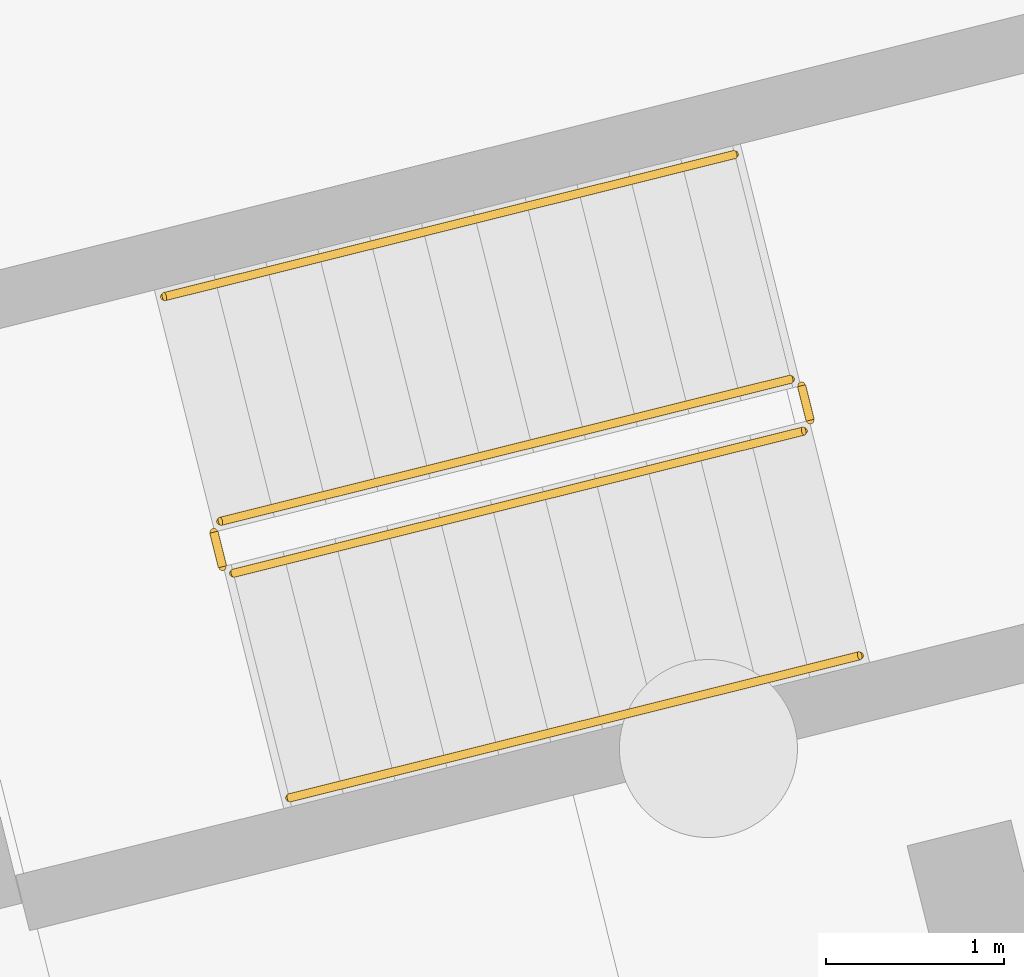
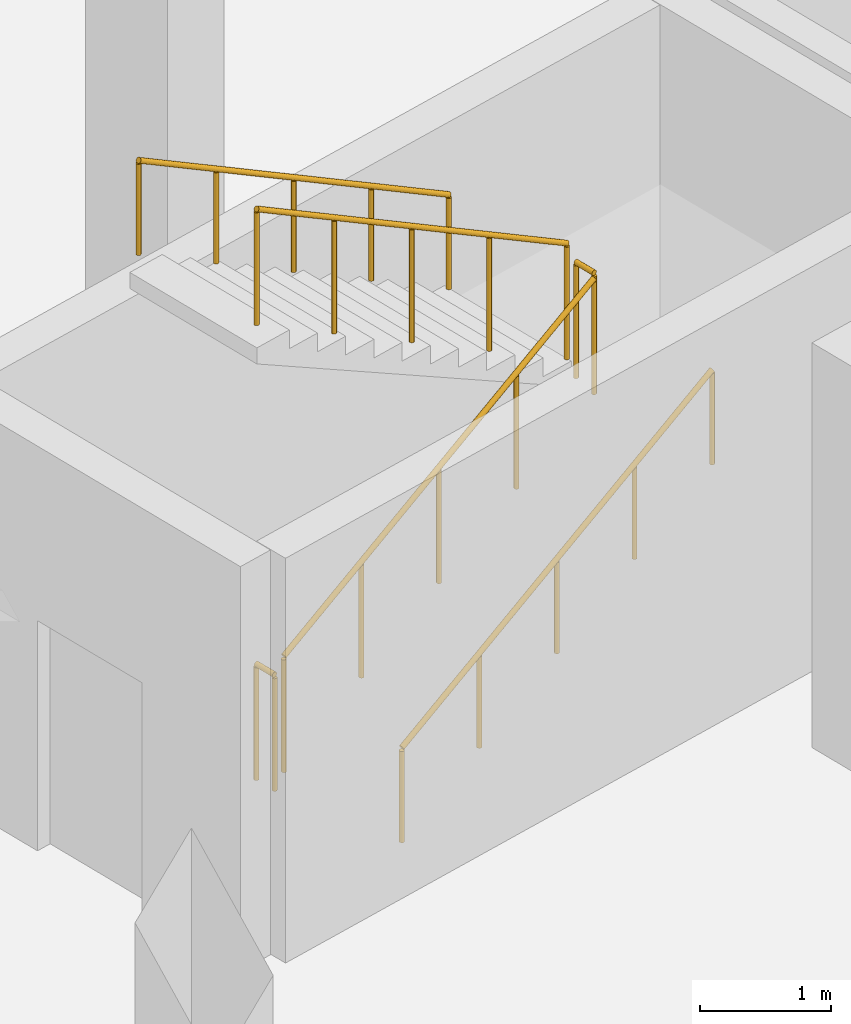
# One storey, part 11 of 17: 6 railings.
"""IFC4 building model written with IfcOpenShell, lengths in metres."""

from ifc_helpers import new_model, si_unit, direction, frame, origin, origin_2d, place, context, subcontext, project, spatial, circle, extrude, material, type_object, element, save


model = new_model("IFC4")

# Units and contexts
model_context = context("Model", 3, precision=1e-05, world=origin(), true_north=direction((0.0, 1.0)))
body_context = subcontext(model_context, "Body", "Model", "MODEL_VIEW")
ifc_project = project(units=[si_unit("LENGTHUNIT", "METRE"), si_unit("AREAUNIT", "SQUARE_METRE"), si_unit("VOLUMEUNIT", "CUBIC_METRE"), si_unit("PLANEANGLEUNIT", "RADIAN"), si_unit("MASSUNIT", "GRAM", prefix="KILO")], contexts=[model_context])

# Site, building, storey
site_placement = place(None, origin())
site = spatial("IfcSite", under=ifc_project, at=site_placement, CompositionType="ELEMENT")
building_placement = place(site_placement, origin())
building = spatial("IfcBuilding", under=site, at=building_placement, Name="Mawjan Specialist Oncology Clinic", CompositionType="ELEMENT")
storey_placement = place(building_placement, frame((0.0, 0.0, -4.199951171875)))
storey = spatial("IfcBuildingStorey", under=building, at=storey_placement, Name="B01", CompositionType="ELEMENT", Elevation=-4.199951171875)

# Railings
ifc_material_1 = material(Name="Powder-coated steel stair guard with vertical infill pickets", Category="steel")
railing_type_1 = type_object("IfcRailingType", Name="GR-110", PredefinedType="GUARDRAIL", material=ifc_material_1)
railing_1_placement = place(storey_placement, frame((124.932861328125, 19.9609375, 0.175048828125)))
element("IfcRailing", 1, at=railing_1_placement, inside=storey, type_object=railing_type_1, Name="B01 ST-05 stair guard 1", PredefinedType="GUARDRAIL", context=body_context, shape_type="SweptSolid", body=[
    extrude(circle(Radius=0.02392578125, at=origin_2d()), frame((0.0, 0.0, 1.076171875), z_axis=(0.838137099766, 0.20897509083, 0.503840861194), x_axis=(-0.24192630068, 0.970294627956, 0.0)), (0.0, 0.0, 1.0), 3.8203125),
    extrude(circle(Radius=0.02099609375, at=origin_2d()), origin(), (0.0, 0.0, 1.0), 1.052001953125),
    extrude(circle(Radius=0.02099609375, at=origin_2d()), frame((0.800537109375, 0.19970703125, 0.481201171875)), (0.0, 0.0, 1.0), 1.052001953125),
    extrude(circle(Radius=0.02099609375, at=origin_2d()), frame((1.60107421875, 0.399169921875, 0.96240234375)), (0.0, 0.0, 1.0), 1.052001953125),
    extrude(circle(Radius=0.02099609375, at=origin_2d()), frame((2.4013671875, 0.5986328125, 1.443603515625)), (0.0, 0.0, 1.0), 1.052001953125),
    extrude(circle(Radius=0.02099609375, at=origin_2d()), frame((3.201904296875, 0.79833984375, 1.9248046875)), (0.0, 0.0, 1.0), 1.052001953125),
])
railing_2_placement = place(storey_placement, frame((128.171142578125, 20.81982421875, 2.099853515625)))
element("IfcRailing", 2, at=railing_2_placement, inside=storey, type_object=railing_type_1, Name="B01 ST-05 stair guard 2", PredefinedType="GUARDRAIL", context=body_context, shape_type="SweptSolid", body=[
    extrude(circle(Radius=0.02392578125, at=origin_2d()), frame((0.0, 0.0, 1.076171875), z_axis=(-0.241673946692, 0.970357513234, 0.0), x_axis=(-0.970357513234, -0.241673946692, 0.0)), (0.0, 0.0, 1.0), 0.199951171875),
    extrude(circle(Radius=0.02099609375, at=origin_2d()), origin(), (0.0, 0.0, 1.0), 1.052001953125),
    extrude(circle(Radius=0.02099609375, at=origin_2d()), frame((-0.04833984375, 0.194091796875, 0.0)), (0.0, 0.0, 1.0), 1.052001953125),
])
railing_3_placement = place(storey_placement, frame((128.062255859375, 21.050537109375, 2.27490234375)))
element("IfcRailing", 3, at=railing_3_placement, inside=storey, type_object=railing_type_1, Name="B01 ST-05 stair guard 3", PredefinedType="GUARDRAIL", context=body_context, shape_type="SweptSolid", body=[
    extrude(circle(Radius=0.02392578125, at=origin_2d()), frame((0.0, 0.0, 1.076171875), z_axis=(-0.83811011232, -0.208968361974, 0.503888542558), x_axis=(0.24192630068, -0.970294627956, 0.0)), (0.0, 0.0, 1.0), 3.8203125),
    extrude(circle(Radius=0.02099609375, at=origin_2d()), origin(), (0.0, 0.0, 1.0), 1.052001953125),
    extrude(circle(Radius=0.02099609375, at=origin_2d()), frame((-0.800537109375, -0.19970703125, 0.481201171875)), (0.0, 0.0, 1.0), 1.052001953125),
    extrude(circle(Radius=0.02099609375, at=origin_2d()), frame((-1.60107421875, -0.399169921875, 0.96240234375)), (0.0, 0.0, 1.0), 1.052001953125),
    extrude(circle(Radius=0.02099609375, at=origin_2d()), frame((-2.4013671875, -0.5986328125, 1.44384765625)), (0.0, 0.0, 1.0), 1.052001953125),
    extrude(circle(Radius=0.02099609375, at=origin_2d()), frame((-3.201904296875, -0.79833984375, 1.925048828125)), (0.0, 0.0, 1.0), 1.052001953125),
])
railing_4_placement = place(storey_placement, frame((124.872314453125, 19.997314453125, 0.0)))
element("IfcRailing", 4, at=railing_4_placement, inside=storey, type_object=railing_type_1, Name="B01 ST-05 stair guard 4", PredefinedType="GUARDRAIL", context=body_context, shape_type="SweptSolid", body=[
    extrude(circle(Radius=0.02392578125, at=origin_2d()), frame((0.0, 0.0, 1.076171875), z_axis=(-0.242822723755, 0.970070680326, 0.0), x_axis=(-0.970070680326, -0.242822723755, 0.0)), (0.0, 0.0, 1.0), 0.2001953125),
    extrude(circle(Radius=0.02099609375, at=origin_2d()), origin(), (0.0, 0.0, 1.0), 1.052001953125),
    extrude(circle(Radius=0.02099609375, at=origin_2d()), frame((-0.048583984375, 0.194091796875, 0.0)), (0.0, 0.0, 1.0), 1.052001953125),
])
ifc_material_2 = material(Name="Brushed stainless-steel tubular handrail", Category="steel")
railing_type_2 = type_object("IfcRailingType", Name="HR-090", PredefinedType="HANDRAIL", material=ifc_material_2)
railing_5_placement = place(storey_placement, frame((125.247314453125, 18.69970703125, 0.175048828125)))
element("IfcRailing", 5, at=railing_5_placement, inside=storey, type_object=railing_type_2, Name="B01 ST-05 stair handrail 1", PredefinedType="HANDRAIL", context=body_context, shape_type="SweptSolid", body=[
    extrude(circle(Radius=0.02392578125, at=origin_2d()), frame((0.0, 0.0, 0.8759765625), z_axis=(0.838137099766, 0.20897509083, 0.503840861194), x_axis=(-0.24192630068, 0.970294627956, 0.0)), (0.0, 0.0, 1.0), 3.8203125),
    extrude(circle(Radius=0.02099609375, at=origin_2d()), origin(), (0.0, 0.0, 1.0), 0.851806640625),
    extrude(circle(Radius=0.02099609375, at=origin_2d()), frame((0.800537109375, 0.19970703125, 0.481201171875)), (0.0, 0.0, 1.0), 0.851806640625),
    extrude(circle(Radius=0.02099609375, at=origin_2d()), frame((1.60107421875, 0.399169921875, 0.96240234375)), (0.0, 0.0, 1.0), 0.851806640625),
    extrude(circle(Radius=0.02099609375, at=origin_2d()), frame((2.4013671875, 0.5986328125, 1.443603515625)), (0.0, 0.0, 1.0), 0.851806640625),
    extrude(circle(Radius=0.02099609375, at=origin_2d()), frame((3.201904296875, 0.79833984375, 1.9248046875)), (0.0, 0.0, 1.0), 0.851806640625),
])
railing_6_placement = place(storey_placement, frame((127.747802734375, 22.311767578125, 2.27490234375)))
element("IfcRailing", 6, at=railing_6_placement, inside=storey, type_object=railing_type_2, Name="B01 ST-05 stair handrail 2", PredefinedType="HANDRAIL", context=body_context, shape_type="SweptSolid", body=[
    extrude(circle(Radius=0.02392578125, at=origin_2d()), frame((0.0, 0.0, 0.8759765625), z_axis=(-0.838129127005, -0.208957170274, 0.503861555843), x_axis=(0.241908934998, -0.970298957625, 0.0)), (0.0, 0.0, 1.0), 3.820556640625),
    extrude(circle(Radius=0.02099609375, at=origin_2d()), origin(), (0.0, 0.0, 1.0), 0.851806640625),
    extrude(circle(Radius=0.02099609375, at=origin_2d()), frame((-0.800537109375, -0.19970703125, 0.481201171875)), (0.0, 0.0, 1.0), 0.851806640625),
    extrude(circle(Radius=0.02099609375, at=origin_2d()), frame((-1.60107421875, -0.399169921875, 0.96240234375)), (0.0, 0.0, 1.0), 0.851806640625),
    extrude(circle(Radius=0.02099609375, at=origin_2d()), frame((-2.401611328125, -0.5986328125, 1.44384765625)), (0.0, 0.0, 1.0), 0.851806640625),
    extrude(circle(Radius=0.02099609375, at=origin_2d()), frame((-3.2021484375, -0.79833984375, 1.925048828125)), (0.0, 0.0, 1.0), 0.851806640625),
])

save(model, "model.ifc")
